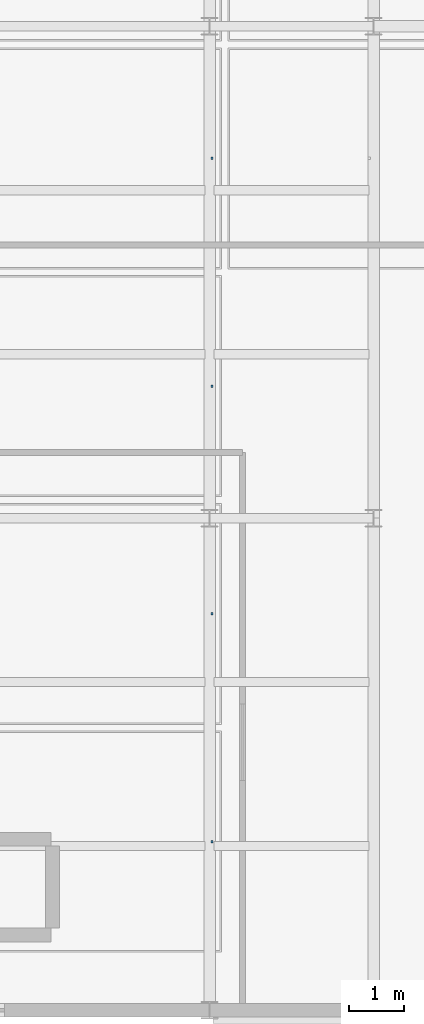
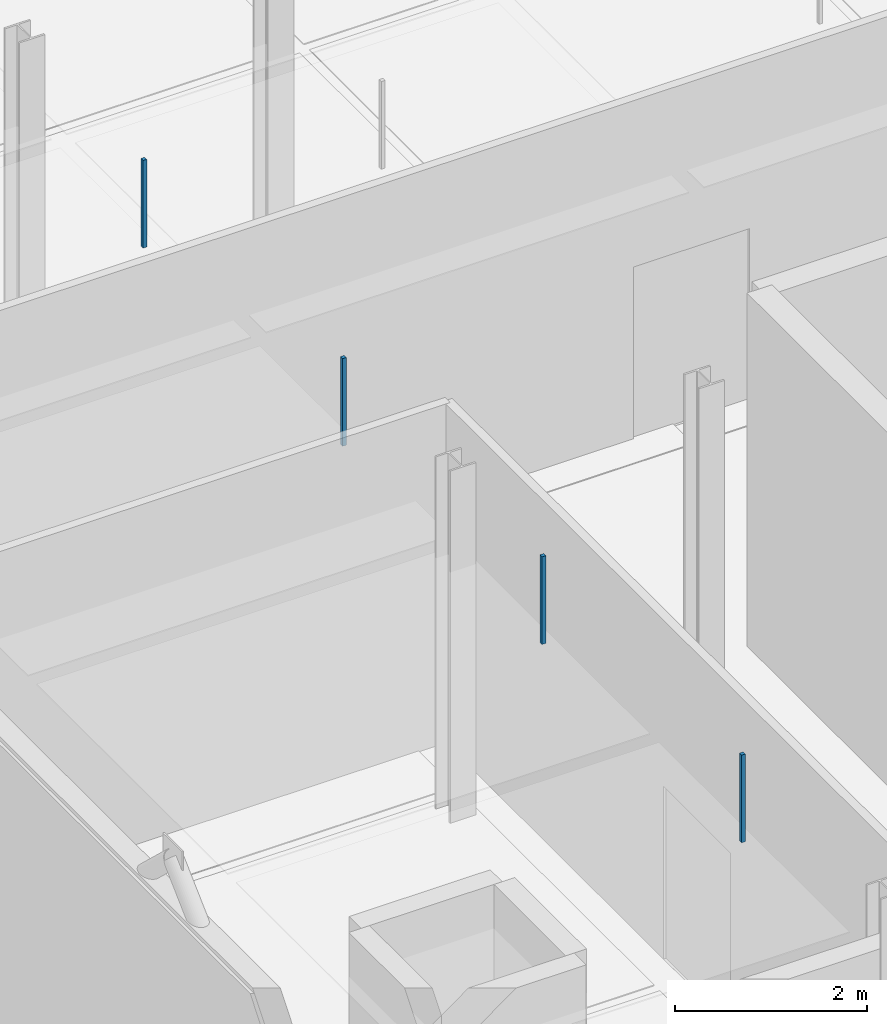
# One storey, part 106 of 140: 4 discrete accessories.
"""IFC4 building model written with IfcOpenShell, lengths in metres."""

from ifc_helpers import new_model, si_unit, direction, frame, origin, origin_2d, place, context, subcontext, project, spatial, rectangle, extrude, material, type_object, element, save


model = new_model("IFC4")

# Units and contexts
model_context = context("Model", 3, precision=1e-05, world=origin(), true_north=direction((0.0, 1.0)))
body_context = subcontext(model_context, "Body", "Model", "MODEL_VIEW")
ifc_project = project(units=[si_unit("LENGTHUNIT", "METRE"), si_unit("AREAUNIT", "SQUARE_METRE"), si_unit("VOLUMEUNIT", "CUBIC_METRE"), si_unit("PLANEANGLEUNIT", "RADIAN"), si_unit("MASSUNIT", "GRAM", prefix="KILO"), si_unit("THERMODYNAMICTEMPERATUREUNIT", "KELVIN"), si_unit("POWERUNIT", "WATT")], contexts=[model_context])

# Site, building, storey
site_placement = place(None, origin())
site = spatial("IfcSite", under=ifc_project, at=site_placement, CompositionType="ELEMENT")
building_placement = place(site_placement, origin())
building = spatial("IfcBuilding", under=site, at=building_placement, Name="Tallowbark Science Centre", CompositionType="ELEMENT")
storey_placement = place(building_placement, frame((0.0, 0.0, 9.89990234375)))
storey = spatial("IfcBuildingStorey", under=building, at=storey_placement, Name="L02", CompositionType="ELEMENT", Elevation=9.89990234375)

# Discrete accessories
ifc_material = material(Name="Galvanised Steel Grade C350L0 (350 MPa)", Category="steel")
discrete_accessory_type = type_object("IfcDiscreteAccessoryType", Name="ACC-CLG-HNG", PredefinedType="BRACKET", material=ifc_material)
for number, where, z_axis, x_axis, name in (
    (1, (69.0439453125, 75.083251953125, 3.205078125), (0.0, 0.0, 1.0), (1.0, 0.0, 0.0), "Ceiling Hanger Bracket L02-866"),
    (2, (69.0439453125, 79.25, 3.205078125), (0.0, 0.0, 1.0), (1.0, 0.0, 0.0), "Ceiling Hanger Bracket L02-867"),
    (3, (69.0439453125, 83.416748046875, 3.205078125), (0.0, 0.0, 1.0), (1.0, 0.0, 0.0), "Ceiling Hanger Bracket L02-868"),
    (4, (69.0439453125, 87.583251953125, 3.205078125), (0.0, 0.0, 1.0), (1.0, 0.0, 0.0), "Ceiling Hanger Bracket L02-869"),
):
    element("IfcDiscreteAccessory", number, at=place(storey_placement, frame(where, z_axis=z_axis, x_axis=x_axis)), inside=storey, type_object=discrete_accessory_type, Name=name, PredefinedType="BRACKET", context=body_context, shape_type="SweptSolid", body=[
        extrude(rectangle(XDim=0.044921875, YDim=0.044921875, at=origin_2d()), origin(), (0.0, 0.0, 1.0), 1.117919921875),
    ])

save(model, "model.ifc")
